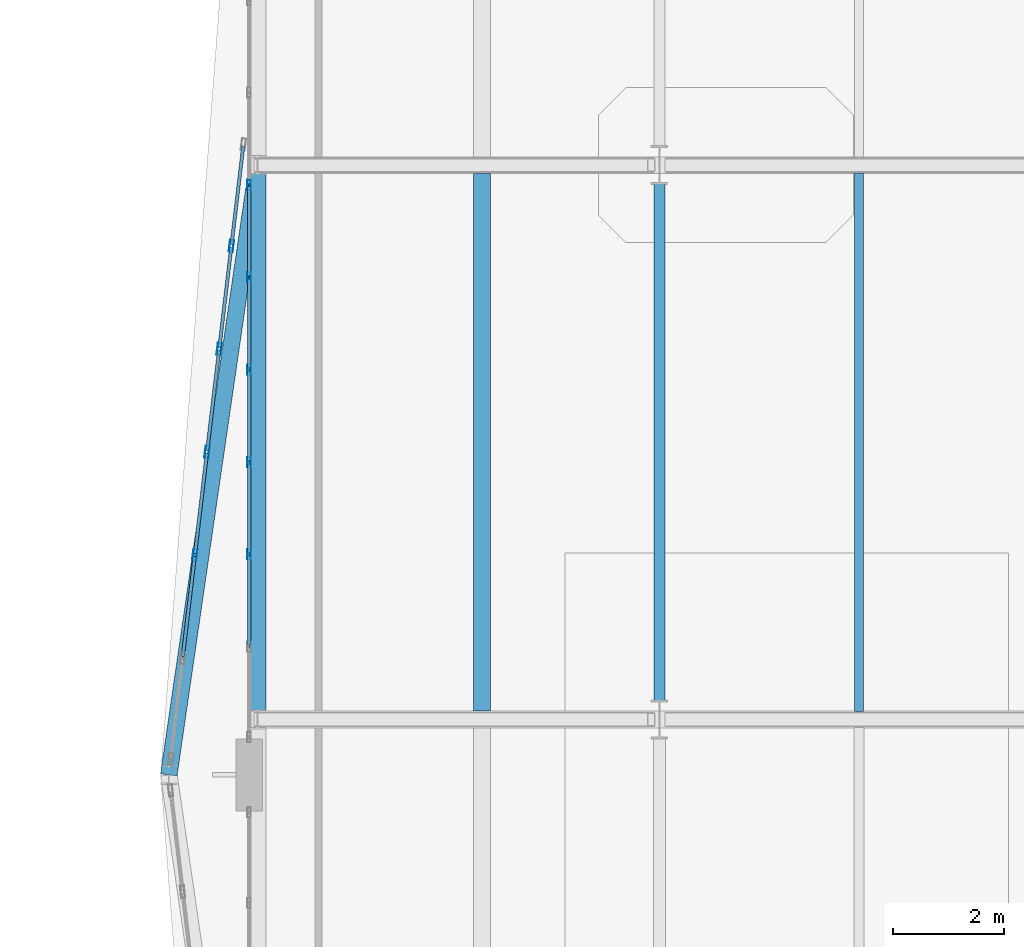
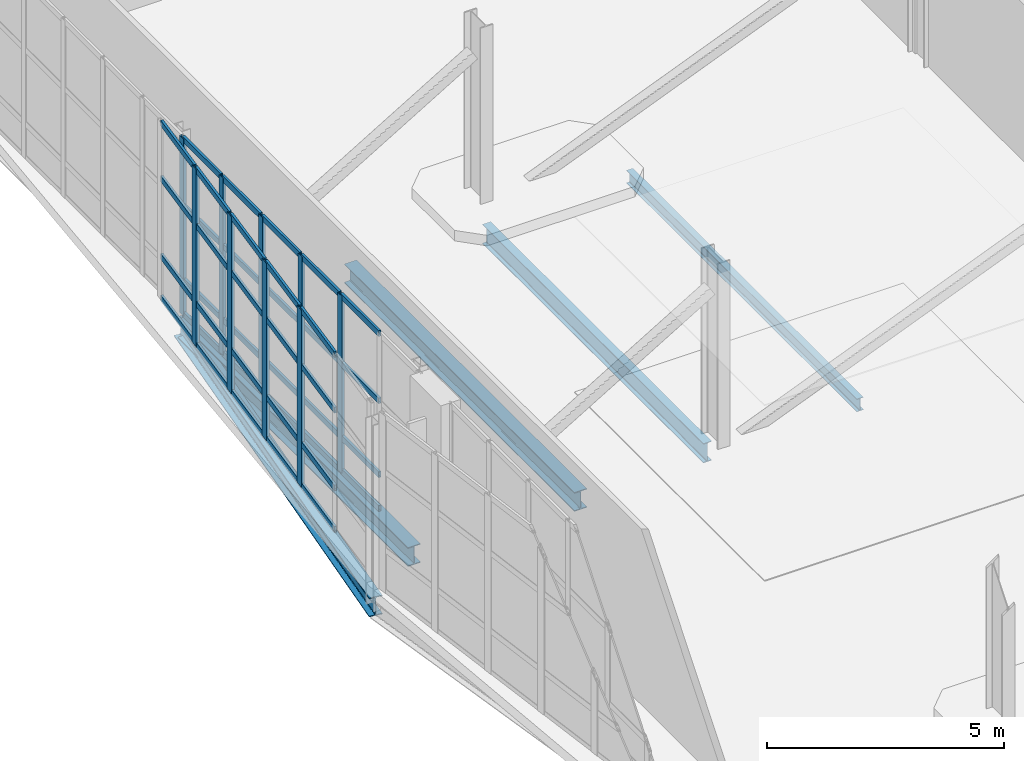
# One storey, part 38 of 100: 49 members, 5 beams, 2 elements without a shape of their own.
"""IFC4 building model written with IfcOpenShell, lengths in metres."""

from ifc_helpers import new_model, si_unit, direction, frame, origin, origin_2d, place, context, subcontext, project, spatial, hollow_rectangle, i_section, extrude, material, layer, layer_set, material_profile, profile_set, type_object, element, aggregate, save


model = new_model("IFC4")

# Units and contexts
model_context = context("Model", 3, precision=1e-05, world=origin(), true_north=direction((0.0, 1.0)))
body_context = subcontext(model_context, "Body", "Model", "MODEL_VIEW")
ifc_project = project(units=[si_unit("LENGTHUNIT", "METRE"), si_unit("AREAUNIT", "SQUARE_METRE"), si_unit("VOLUMEUNIT", "CUBIC_METRE"), si_unit("PLANEANGLEUNIT", "RADIAN"), si_unit("MASSUNIT", "GRAM", prefix="KILO")], contexts=[model_context])

# Site, building, storey
site_placement = place(None, origin())
site = spatial("IfcSite", under=ifc_project, at=site_placement, CompositionType="ELEMENT")
building_placement = place(site_placement, origin())
building = spatial("IfcBuilding", under=site, at=building_placement, Name="Tasgan Crest Museum", CompositionType="ELEMENT")
storey_placement = place(building_placement, frame((0.0, 0.0, 9.60009765625)))
storey = spatial("IfcBuildingStorey", under=building, at=storey_placement, Name="L02", CompositionType="ELEMENT", Elevation=9.60009765625)

# Beams
ifc_material_1 = material(Name="Steel S355J2", Category="steel")
ifc_material_profile_1 = material_profile(ifc_material_1, i_section(OverallWidth=0.300048828125, OverallDepth=0.489990234375, WebThickness=0.011962890625, FlangeThickness=0.02294921875, FilletRadius=0.027099609375, at=origin_2d()), Name="HEA 500")
ifc_profile_set_1 = profile_set([ifc_material_profile_1], Name="Steel S355J2")
beam_type_1 = type_object("IfcBeamType", Name="BM-G-HEA500", PredefinedType="BEAM", material=ifc_profile_set_1)
for number, where, z_axis, x_axis, name in (
    (1, (3.550048828125, 62.14990234375, -0.505126953125), (0.0, 1.0, 0.0), (-1.0, 0.0, 0.0), "Cantilever edge beam L02 TIP 62-72"),
    (2, (7.60009765625, 62.14990234375, -0.505126953125), (0.0, 1.0, 0.0), (-1.0, 0.0, 0.0), "Cantilever edge beam L02 MID 62-72"),
):
    element("IfcBeam", number, at=place(storey_placement, frame(where, z_axis=z_axis, x_axis=x_axis)), inside=storey, type_object=beam_type_1, Name=name, PredefinedType="BEAM", context=body_context, shape_type="SweptSolid", body=[
        extrude(i_section(OverallWidth=0.300048828125, OverallDepth=0.489990234375, WebThickness=0.011962890625, FlangeThickness=0.02294921875, FilletRadius=0.027099609375, at=origin_2d()), origin(), (0.0, 0.0, 1.0), 9.7001953125),
    ])
beam_1_placement = place(storey_placement, frame((1.949951171875, 61.0, -0.56005859375), z_axis=(0.143948449067, 0.98958518785, 0.0), x_axis=(-0.98958518785, 0.143948449067, 0.0)))
element("IfcBeam", 3, at=beam_1_placement, inside=storey, type_object=beam_type_1, Name="Cantilever prow north girder L02", PredefinedType="BEAM", context=body_context, shape_type="SweptSolid", body=[
    extrude(i_section(OverallWidth=0.300048828125, OverallDepth=0.489990234375, WebThickness=0.011962890625, FlangeThickness=0.02294921875, FilletRadius=0.027099609375, at=origin_2d()), origin(), (0.0, 0.0, 1.0), 11.11572265625),
])
ifc_material_2 = material(Name="Steel S355J2", Category="steel")
ifc_material_profile_2 = material_profile(ifc_material_2, i_section(OverallWidth=0.199951171875, OverallDepth=0.5, WebThickness=0.01025390625, FlangeThickness=0.01611328125, FilletRadius=0.02099609375, at=origin_2d()), Name="IPE 500")
ifc_profile_set_2 = profile_set([ifc_material_profile_2], Name="Steel S355J2")
beam_type_2 = type_object("IfcBeamType", Name="BM-G-IPE500", PredefinedType="BEAM", material=ifc_profile_set_2)
beam_2_placement = place(storey_placement, frame((10.800048828125, 62.344970703125, -0.510009765625), z_axis=(0.0, 1.0, 0.0), x_axis=(-1.0, 0.0, 0.0)))
element("IfcBeam", 4, at=beam_2_placement, inside=storey, type_object=beam_type_2, Name="Beam L02 2 62.0-72.0", PredefinedType="BEAM", context=body_context, shape_type="SweptSolid", body=[
    extrude(i_section(OverallWidth=0.199951171875, OverallDepth=0.5, WebThickness=0.01025390625, FlangeThickness=0.01611328125, FilletRadius=0.02099609375, at=origin_2d()), origin(), (0.0, 0.0, 1.0), 9.31005859375),
])
ifc_material_3 = material(Name="Steel S355J2", Category="steel")
ifc_material_profile_3 = material_profile(ifc_material_3, i_section(OverallWidth=0.159912109375, OverallDepth=0.330078125, WebThickness=0.007568359375, FlangeThickness=0.011474609375, FilletRadius=0.01806640625, at=origin_2d()), Name="IPE 330")
ifc_profile_set_3 = profile_set([ifc_material_profile_3], Name="Steel S355J2")
beam_type_3 = type_object("IfcBeamType", Name="BM-J-IPE330", PredefinedType="JOIST", material=ifc_profile_set_3)
beam_3_placement = place(storey_placement, frame((14.39990234375, 62.14501953125, -0.425048828125), z_axis=(0.0, 1.0, 0.0), x_axis=(-1.0, 0.0, 0.0)))
element("IfcBeam", 5, at=beam_3_placement, inside=storey, type_object=beam_type_3, Name="Secondary joist L02 X=14.4 Y=62.0-72.0", PredefinedType="JOIST", context=body_context, shape_type="SweptSolid", body=[
    extrude(i_section(OverallWidth=0.159912109375, OverallDepth=0.330078125, WebThickness=0.007568359375, FlangeThickness=0.011474609375, FilletRadius=0.01806640625, at=origin_2d()), origin(), (0.0, 0.0, 1.0), 9.7099609375),
])

# Curtain wall, members
ifc_material_4 = material(Name="Triple-Glazed Aluminium Curtain Wall", Category="aluminium")
ifc_layer = layer(ifc_material_4, 0.179931640625, Name="CW-CANT-TIP-48")
ifc_layer_set = layer_set([ifc_layer], Name="Triple-Glazed Aluminium Curtain Wall")
curtain_wall_type = type_object("IfcCurtainWallType", Name="CW-CANT-TIP-48", PredefinedType="NOTDEFINED", material=ifc_layer_set)
curtain_wall_1_placement = place(storey_placement, origin())
curtain_wall_1 = element("IfcCurtainWall", 6, at=curtain_wall_1_placement, inside=storey, type_object=curtain_wall_type, Name="Curtain wall L02 094", PredefinedType="NOTDEFINED")
ifc_material_5 = material(Name="Anodised Aluminium", Category="aluminium")
ifc_material_profile_4 = material_profile(ifc_material_5, hollow_rectangle(XDim=0.06494140625, YDim=0.179931640625, WallThickness=0.0048828125, at=origin_2d()), Name="ALU MULLION 180x65x5")
ifc_profile_set_4 = profile_set([ifc_material_profile_4], Name="Anodised Aluminium")
member_type_1 = type_object("IfcMemberType", Name="CW-MULLION-180", PredefinedType="MULLION", material=ifc_profile_set_4)
member_1_placement = place(storey_placement, frame((3.39990234375, 71.639892578125, 0.0), z_axis=(0.0, 0.0, 1.0), x_axis=(1.0, 0.0, 0.0)))
member_1 = element("IfcMember", 7, at=member_1_placement, type_object=member_type_1, Name="CW09 mullion 7", PredefinedType="MULLION", context=body_context, shape_type="SweptSolid", body=[
    extrude(hollow_rectangle(XDim=0.06494140625, YDim=0.179931640625, WallThickness=0.0048828125, at=origin_2d()), origin(), (0.0, 0.0, 1.0), 4.559814453125),
])
member_2_placement = place(storey_placement, frame((3.39990234375, 69.97412109375, 0.0), z_axis=(0.0, 0.0, 1.0), x_axis=(1.0, 0.0, 0.0)))
member_2 = element("IfcMember", 8, at=member_2_placement, type_object=member_type_1, Name="CW09 mullion 8", PredefinedType="MULLION", context=body_context, shape_type="SweptSolid", body=[
    extrude(hollow_rectangle(XDim=0.06494140625, YDim=0.179931640625, WallThickness=0.0048828125, at=origin_2d()), origin(), (0.0, 0.0, 1.0), 4.559814453125),
])
member_3_placement = place(storey_placement, frame((3.39990234375, 68.308349609375, 0.0), z_axis=(0.0, 0.0, 1.0), x_axis=(1.0, 0.0, 0.0)))
member_3 = element("IfcMember", 9, at=member_3_placement, type_object=member_type_1, Name="CW09 mullion 9", PredefinedType="MULLION", context=body_context, shape_type="SweptSolid", body=[
    extrude(hollow_rectangle(XDim=0.06494140625, YDim=0.179931640625, WallThickness=0.0048828125, at=origin_2d()), origin(), (0.0, 0.0, 1.0), 4.559814453125),
])
member_4_placement = place(storey_placement, frame((3.39990234375, 66.642578125, 0.0), z_axis=(0.0, 0.0, 1.0), x_axis=(1.0, 0.0, 0.0)))
member_4 = element("IfcMember", 10, at=member_4_placement, type_object=member_type_1, Name="CW09 mullion 10", PredefinedType="MULLION", context=body_context, shape_type="SweptSolid", body=[
    extrude(hollow_rectangle(XDim=0.06494140625, YDim=0.179931640625, WallThickness=0.0048828125, at=origin_2d()), origin(), (0.0, 0.0, 1.0), 4.559814453125),
])
member_5_placement = place(storey_placement, frame((3.39990234375, 64.9765625, 0.0), z_axis=(0.0, 0.0, 1.0), x_axis=(1.0, 0.0, 0.0)))
member_5 = element("IfcMember", 11, at=member_5_placement, type_object=member_type_1, Name="CW09 mullion 11", PredefinedType="MULLION", context=body_context, shape_type="SweptSolid", body=[
    extrude(hollow_rectangle(XDim=0.06494140625, YDim=0.179931640625, WallThickness=0.0048828125, at=origin_2d()), origin(), (0.0, 0.0, 1.0), 4.559814453125),
])

curtain_wall_2_placement = place(storey_placement, origin())
curtain_wall_2 = element("IfcCurtainWall", 12, at=curtain_wall_2_placement, inside=storey, type_object=curtain_wall_type, Name="Cantilevered prow curtain wall L02 PROW-N", PredefinedType="NOTDEFINED")
ifc_material_6 = material(Name="Anodised Aluminium", Category="aluminium")
ifc_material_profile_5 = material_profile(ifc_material_6, hollow_rectangle(XDim=0.074951171875, YDim=0.219970703125, WallThickness=0.006103515625, at=origin_2d()), Name="ALU MULLION 220x75x6")
ifc_profile_set_5 = profile_set([ifc_material_profile_5], Name="Anodised Aluminium")
member_type_2 = type_object("IfcMemberType", Name="CW-MULLION-220", PredefinedType="MULLION", material=ifc_profile_set_5)
member_6_placement = place(storey_placement, frame((2.419921875, 64.966552734375, 0.0), z_axis=(0.0, 0.0, 1.0), x_axis=(-0.993065228329, 0.117564672774, 0.0)))
member_6 = element("IfcMember", 13, at=member_6_placement, type_object=member_type_2, Name="CW09 mullion 3", PredefinedType="MULLION", context=body_context, shape_type="SweptSolid", body=[
    extrude(hollow_rectangle(XDim=0.074951171875, YDim=0.219970703125, WallThickness=0.006103515625, at=origin_2d()), origin(), (0.0, 0.0, 1.0), 4.559814453125),
])
member_7_placement = place(storey_placement, frame((2.639892578125, 66.824951171875, 0.0), z_axis=(0.0, 0.0, 1.0), x_axis=(-0.993065228329, 0.117564672774, 0.0)))
member_7 = element("IfcMember", 14, at=member_7_placement, type_object=member_type_2, Name="CW09 mullion 4", PredefinedType="MULLION", context=body_context, shape_type="SweptSolid", body=[
    extrude(hollow_rectangle(XDim=0.074951171875, YDim=0.219970703125, WallThickness=0.006103515625, at=origin_2d()), origin(), (0.0, 0.0, 1.0), 4.559814453125),
])
member_8_placement = place(storey_placement, frame((2.860107421875, 68.683349609375, 0.0), z_axis=(0.0, 0.0, 1.0), x_axis=(-0.993065228329, 0.117564672774, 0.0)))
member_8 = element("IfcMember", 15, at=member_8_placement, type_object=member_type_2, Name="CW09 mullion 5", PredefinedType="MULLION", context=body_context, shape_type="SweptSolid", body=[
    extrude(hollow_rectangle(XDim=0.074951171875, YDim=0.219970703125, WallThickness=0.006103515625, at=origin_2d()), origin(), (0.0, 0.0, 1.0), 4.559814453125),
])
member_9_placement = place(storey_placement, frame((3.080078125, 70.541748046875, 0.0), z_axis=(0.0, 0.0, 1.0), x_axis=(-0.993065228329, 0.117564672774, 0.0)))
member_9 = element("IfcMember", 16, at=member_9_placement, type_object=member_type_2, Name="CW09 mullion 6", PredefinedType="MULLION", context=body_context, shape_type="SweptSolid", body=[
    extrude(hollow_rectangle(XDim=0.074951171875, YDim=0.219970703125, WallThickness=0.006103515625, at=origin_2d()), origin(), (0.0, 0.0, 1.0), 4.559814453125),
])

# Member
ifc_material_7 = material(Name="Anodised Aluminium", Category="aluminium")
ifc_material_profile_6 = material_profile(ifc_material_7, hollow_rectangle(XDim=0.06005859375, YDim=0.14990234375, WallThickness=0.0048828125, at=origin_2d()), Name="ALU TRANSOM 150x60x5")
ifc_profile_set_6 = profile_set([ifc_material_profile_6], Name="Anodised Aluminium")
member_type_3 = type_object("IfcMemberType", Name="CW-TRANSOM-150", PredefinedType="USERDEFINED", material=ifc_profile_set_6)
member_10_placement = place(storey_placement, frame((3.39990234375, 71.610107421875, 0.02978515625), z_axis=(0.0, -1.0, 0.0), x_axis=(1.0, 0.0, 0.0)))
member_10 = element("IfcMember", 17, at=member_10_placement, type_object=member_type_3, Name="CW09 transom 7.1", ObjectType="TRANSOM", PredefinedType="USERDEFINED", context=body_context, shape_type="SweptSolid", body=[
    extrude(hollow_rectangle(XDim=0.06005859375, YDim=0.14990234375, WallThickness=0.0048828125, at=origin_2d()), origin(), (0.0, 0.0, 1.0), 1.60595703125),
])

member_11_placement = place(storey_placement, frame((3.39990234375, 71.610107421875, 0.89990234375), z_axis=(0.0, -1.0, 0.0), x_axis=(1.0, 0.0, 0.0)))
member_11 = element("IfcMember", 18, at=member_11_placement, type_object=member_type_3, Name="CW09 transom 7.2", ObjectType="TRANSOM", PredefinedType="USERDEFINED", context=body_context, shape_type="SweptSolid", body=[
    extrude(hollow_rectangle(XDim=0.06005859375, YDim=0.14990234375, WallThickness=0.0048828125, at=origin_2d()), origin(), (0.0, 0.0, 1.0), 1.60595703125),
])

member_12_placement = place(storey_placement, frame((3.39990234375, 71.610107421875, 2.7998046875), z_axis=(0.0, -1.0, 0.0), x_axis=(1.0, 0.0, 0.0)))
member_12 = element("IfcMember", 19, at=member_12_placement, type_object=member_type_3, Name="CW09 transom 7.3", ObjectType="TRANSOM", PredefinedType="USERDEFINED", context=body_context, shape_type="SweptSolid", body=[
    extrude(hollow_rectangle(XDim=0.06005859375, YDim=0.14990234375, WallThickness=0.0048828125, at=origin_2d()), origin(), (0.0, 0.0, 1.0), 1.60595703125),
])

member_13_placement = place(storey_placement, frame((3.39990234375, 71.610107421875, 4.52978515625), z_axis=(0.0, -1.0, 0.0), x_axis=(1.0, 0.0, 0.0)))
member_13 = element("IfcMember", 20, at=member_13_placement, type_object=member_type_3, Name="CW09 transom 7.4", ObjectType="TRANSOM", PredefinedType="USERDEFINED", context=body_context, shape_type="SweptSolid", body=[
    extrude(hollow_rectangle(XDim=0.06005859375, YDim=0.14990234375, WallThickness=0.0048828125, at=origin_2d()), origin(), (0.0, 0.0, 1.0), 1.60595703125),
])

member_14_placement = place(storey_placement, frame((3.39990234375, 69.944091796875, 0.02978515625), z_axis=(0.0, -1.0, 0.0), x_axis=(1.0, 0.0, 0.0)))
member_14 = element("IfcMember", 21, at=member_14_placement, type_object=member_type_3, Name="CW09 transom 8.1", ObjectType="TRANSOM", PredefinedType="USERDEFINED", context=body_context, shape_type="SweptSolid", body=[
    extrude(hollow_rectangle(XDim=0.06005859375, YDim=0.14990234375, WallThickness=0.0048828125, at=origin_2d()), origin(), (0.0, 0.0, 1.0), 1.605712890625),
])

member_15_placement = place(storey_placement, frame((3.39990234375, 69.944091796875, 0.89990234375), z_axis=(0.0, -1.0, 0.0), x_axis=(1.0, 0.0, 0.0)))
member_15 = element("IfcMember", 22, at=member_15_placement, type_object=member_type_3, Name="CW09 transom 8.2", ObjectType="TRANSOM", PredefinedType="USERDEFINED", context=body_context, shape_type="SweptSolid", body=[
    extrude(hollow_rectangle(XDim=0.06005859375, YDim=0.14990234375, WallThickness=0.0048828125, at=origin_2d()), origin(), (0.0, 0.0, 1.0), 1.605712890625),
])

member_16_placement = place(storey_placement, frame((3.39990234375, 69.944091796875, 2.7998046875), z_axis=(0.0, -1.0, 0.0), x_axis=(1.0, 0.0, 0.0)))
member_16 = element("IfcMember", 23, at=member_16_placement, type_object=member_type_3, Name="CW09 transom 8.3", ObjectType="TRANSOM", PredefinedType="USERDEFINED", context=body_context, shape_type="SweptSolid", body=[
    extrude(hollow_rectangle(XDim=0.06005859375, YDim=0.14990234375, WallThickness=0.0048828125, at=origin_2d()), origin(), (0.0, 0.0, 1.0), 1.605712890625),
])

member_17_placement = place(storey_placement, frame((3.39990234375, 69.944091796875, 4.52978515625), z_axis=(0.0, -1.0, 0.0), x_axis=(1.0, 0.0, 0.0)))
member_17 = element("IfcMember", 24, at=member_17_placement, type_object=member_type_3, Name="CW09 transom 8.4", ObjectType="TRANSOM", PredefinedType="USERDEFINED", context=body_context, shape_type="SweptSolid", body=[
    extrude(hollow_rectangle(XDim=0.06005859375, YDim=0.14990234375, WallThickness=0.0048828125, at=origin_2d()), origin(), (0.0, 0.0, 1.0), 1.605712890625),
])

member_18_placement = place(storey_placement, frame((3.39990234375, 68.2783203125, 0.02978515625), z_axis=(0.0, -1.0, 0.0), x_axis=(1.0, 0.0, 0.0)))
member_18 = element("IfcMember", 25, at=member_18_placement, type_object=member_type_3, Name="CW09 transom 9.1", ObjectType="TRANSOM", PredefinedType="USERDEFINED", context=body_context, shape_type="SweptSolid", body=[
    extrude(hollow_rectangle(XDim=0.06005859375, YDim=0.14990234375, WallThickness=0.0048828125, at=origin_2d()), origin(), (0.0, 0.0, 1.0), 1.605712890625),
])

member_19_placement = place(storey_placement, frame((3.39990234375, 68.2783203125, 0.89990234375), z_axis=(0.0, -1.0, 0.0), x_axis=(1.0, 0.0, 0.0)))
member_19 = element("IfcMember", 26, at=member_19_placement, type_object=member_type_3, Name="CW09 transom 9.2", ObjectType="TRANSOM", PredefinedType="USERDEFINED", context=body_context, shape_type="SweptSolid", body=[
    extrude(hollow_rectangle(XDim=0.06005859375, YDim=0.14990234375, WallThickness=0.0048828125, at=origin_2d()), origin(), (0.0, 0.0, 1.0), 1.605712890625),
])

member_20_placement = place(storey_placement, frame((3.39990234375, 68.2783203125, 2.7998046875), z_axis=(0.0, -1.0, 0.0), x_axis=(1.0, 0.0, 0.0)))
member_20 = element("IfcMember", 27, at=member_20_placement, type_object=member_type_3, Name="CW09 transom 9.3", ObjectType="TRANSOM", PredefinedType="USERDEFINED", context=body_context, shape_type="SweptSolid", body=[
    extrude(hollow_rectangle(XDim=0.06005859375, YDim=0.14990234375, WallThickness=0.0048828125, at=origin_2d()), origin(), (0.0, 0.0, 1.0), 1.605712890625),
])

member_21_placement = place(storey_placement, frame((3.39990234375, 68.2783203125, 4.52978515625), z_axis=(0.0, -1.0, 0.0), x_axis=(1.0, 0.0, 0.0)))
member_21 = element("IfcMember", 28, at=member_21_placement, type_object=member_type_3, Name="CW09 transom 9.4", ObjectType="TRANSOM", PredefinedType="USERDEFINED", context=body_context, shape_type="SweptSolid", body=[
    extrude(hollow_rectangle(XDim=0.06005859375, YDim=0.14990234375, WallThickness=0.0048828125, at=origin_2d()), origin(), (0.0, 0.0, 1.0), 1.605712890625),
])

member_22_placement = place(storey_placement, frame((3.39990234375, 66.612548828125, 0.02978515625), z_axis=(0.0, -1.0, 0.0), x_axis=(1.0, 0.0, 0.0)))
member_22 = element("IfcMember", 29, at=member_22_placement, type_object=member_type_3, Name="CW09 transom 10.1", ObjectType="TRANSOM", PredefinedType="USERDEFINED", context=body_context, shape_type="SweptSolid", body=[
    extrude(hollow_rectangle(XDim=0.06005859375, YDim=0.14990234375, WallThickness=0.0048828125, at=origin_2d()), origin(), (0.0, 0.0, 1.0), 1.60595703125),
])

member_23_placement = place(storey_placement, frame((3.39990234375, 66.612548828125, 0.89990234375), z_axis=(0.0, -1.0, 0.0), x_axis=(1.0, 0.0, 0.0)))
member_23 = element("IfcMember", 30, at=member_23_placement, type_object=member_type_3, Name="CW09 transom 10.2", ObjectType="TRANSOM", PredefinedType="USERDEFINED", context=body_context, shape_type="SweptSolid", body=[
    extrude(hollow_rectangle(XDim=0.06005859375, YDim=0.14990234375, WallThickness=0.0048828125, at=origin_2d()), origin(), (0.0, 0.0, 1.0), 1.60595703125),
])

member_24_placement = place(storey_placement, frame((3.39990234375, 66.612548828125, 2.7998046875), z_axis=(0.0, -1.0, 0.0), x_axis=(1.0, 0.0, 0.0)))
member_24 = element("IfcMember", 31, at=member_24_placement, type_object=member_type_3, Name="CW09 transom 10.3", ObjectType="TRANSOM", PredefinedType="USERDEFINED", context=body_context, shape_type="SweptSolid", body=[
    extrude(hollow_rectangle(XDim=0.06005859375, YDim=0.14990234375, WallThickness=0.0048828125, at=origin_2d()), origin(), (0.0, 0.0, 1.0), 1.60595703125),
])

member_25_placement = place(storey_placement, frame((3.39990234375, 66.612548828125, 4.52978515625), z_axis=(0.0, -1.0, 0.0), x_axis=(1.0, 0.0, 0.0)))
member_25 = element("IfcMember", 32, at=member_25_placement, type_object=member_type_3, Name="CW09 transom 10.4", ObjectType="TRANSOM", PredefinedType="USERDEFINED", context=body_context, shape_type="SweptSolid", body=[
    extrude(hollow_rectangle(XDim=0.06005859375, YDim=0.14990234375, WallThickness=0.0048828125, at=origin_2d()), origin(), (0.0, 0.0, 1.0), 1.60595703125),
])

member_26_placement = place(storey_placement, frame((3.39990234375, 64.94677734375, 0.02978515625), z_axis=(0.0, -1.0, 0.0), x_axis=(1.0, 0.0, 0.0)))
member_26 = element("IfcMember", 33, at=member_26_placement, type_object=member_type_3, Name="CW09 transom 11.1", ObjectType="TRANSOM", PredefinedType="USERDEFINED", context=body_context, shape_type="SweptSolid", body=[
    extrude(hollow_rectangle(XDim=0.06005859375, YDim=0.14990234375, WallThickness=0.0048828125, at=origin_2d()), origin(), (0.0, 0.0, 1.0), 1.60595703125),
])

member_27_placement = place(storey_placement, frame((3.39990234375, 64.94677734375, 0.89990234375), z_axis=(0.0, -1.0, 0.0), x_axis=(1.0, 0.0, 0.0)))
member_27 = element("IfcMember", 34, at=member_27_placement, type_object=member_type_3, Name="CW09 transom 11.2", ObjectType="TRANSOM", PredefinedType="USERDEFINED", context=body_context, shape_type="SweptSolid", body=[
    extrude(hollow_rectangle(XDim=0.06005859375, YDim=0.14990234375, WallThickness=0.0048828125, at=origin_2d()), origin(), (0.0, 0.0, 1.0), 1.60595703125),
])

member_28_placement = place(storey_placement, frame((3.39990234375, 64.94677734375, 2.7998046875), z_axis=(0.0, -1.0, 0.0), x_axis=(1.0, 0.0, 0.0)))
member_28 = element("IfcMember", 35, at=member_28_placement, type_object=member_type_3, Name="CW09 transom 11.3", ObjectType="TRANSOM", PredefinedType="USERDEFINED", context=body_context, shape_type="SweptSolid", body=[
    extrude(hollow_rectangle(XDim=0.06005859375, YDim=0.14990234375, WallThickness=0.0048828125, at=origin_2d()), origin(), (0.0, 0.0, 1.0), 1.60595703125),
])

member_29_placement = place(storey_placement, frame((3.39990234375, 64.94677734375, 4.52978515625), z_axis=(0.0, -1.0, 0.0), x_axis=(1.0, 0.0, 0.0)))
member_29 = element("IfcMember", 36, at=member_29_placement, type_object=member_type_3, Name="CW09 transom 11.4", ObjectType="TRANSOM", PredefinedType="USERDEFINED", context=body_context, shape_type="SweptSolid", body=[
    extrude(hollow_rectangle(XDim=0.06005859375, YDim=0.14990234375, WallThickness=0.0048828125, at=origin_2d()), origin(), (0.0, 0.0, 1.0), 1.60595703125),
])

aggregate(curtain_wall_1, [member_1, member_2, member_3, member_4, member_5, member_10, member_11, member_12, member_13, member_14, member_15, member_16, member_17, member_18, member_19, member_20, member_21, member_22, member_23, member_24, member_25, member_26, member_27, member_28, member_29])

member_30_placement = place(storey_placement, frame((2.20361328125, 63.13818359375, 0.02978515625), z_axis=(0.117545119782, 0.993067542927, 0.0), x_axis=(-0.993067542927, 0.117545119782, 0.0)))
member_30 = element("IfcMember", 37, at=member_30_placement, type_object=member_type_3, Name="CW09 transom 2.1", ObjectType="TRANSOM", PredefinedType="USERDEFINED", context=body_context, shape_type="SweptSolid", body=[
    extrude(hollow_rectangle(XDim=0.06005859375, YDim=0.14990234375, WallThickness=0.0048828125, at=origin_2d()), origin(), (0.0, 0.0, 1.0), 1.81103515625),
])

member_31_placement = place(storey_placement, frame((2.20361328125, 63.13818359375, 1.099853515625), z_axis=(0.117545119782, 0.993067542927, 0.0), x_axis=(-0.993067542927, 0.117545119782, 0.0)))
member_31 = element("IfcMember", 38, at=member_31_placement, type_object=member_type_3, Name="CW09 transom 2.2", ObjectType="TRANSOM", PredefinedType="USERDEFINED", context=body_context, shape_type="SweptSolid", body=[
    extrude(hollow_rectangle(XDim=0.06005859375, YDim=0.14990234375, WallThickness=0.0048828125, at=origin_2d()), origin(), (0.0, 0.0, 1.0), 1.81103515625),
])

member_32_placement = place(storey_placement, frame((2.20361328125, 63.13818359375, 3.099853515625), z_axis=(0.117545119782, 0.993067542927, 0.0), x_axis=(-0.993067542927, 0.117545119782, 0.0)))
member_32 = element("IfcMember", 39, at=member_32_placement, type_object=member_type_3, Name="CW09 transom 2.3", ObjectType="TRANSOM", PredefinedType="USERDEFINED", context=body_context, shape_type="SweptSolid", body=[
    extrude(hollow_rectangle(XDim=0.06005859375, YDim=0.14990234375, WallThickness=0.0048828125, at=origin_2d()), origin(), (0.0, 0.0, 1.0), 1.81103515625),
])

member_33_placement = place(storey_placement, frame((2.20361328125, 63.13818359375, 4.52978515625), z_axis=(0.117545119782, 0.993067542927, 0.0), x_axis=(-0.993067542927, 0.117545119782, 0.0)))
member_33 = element("IfcMember", 40, at=member_33_placement, type_object=member_type_3, Name="CW09 transom 2.4", ObjectType="TRANSOM", PredefinedType="USERDEFINED", context=body_context, shape_type="SweptSolid", body=[
    extrude(hollow_rectangle(XDim=0.06005859375, YDim=0.14990234375, WallThickness=0.0048828125, at=origin_2d()), origin(), (0.0, 0.0, 1.0), 1.81103515625),
])

member_34_placement = place(storey_placement, frame((2.423583984375, 64.996337890625, 0.02978515625), z_axis=(0.117529386701, 0.993069405058, 0.0), x_axis=(-0.993069405058, 0.117529386701, 0.0)))
member_34 = element("IfcMember", 41, at=member_34_placement, type_object=member_type_3, Name="CW09 transom 3.1", ObjectType="TRANSOM", PredefinedType="USERDEFINED", context=body_context, shape_type="SweptSolid", body=[
    extrude(hollow_rectangle(XDim=0.06005859375, YDim=0.14990234375, WallThickness=0.0048828125, at=origin_2d()), origin(), (0.0, 0.0, 1.0), 1.811279296875),
])

member_35_placement = place(storey_placement, frame((2.423583984375, 64.996337890625, 1.099853515625), z_axis=(0.117529386701, 0.993069405058, 0.0), x_axis=(-0.993069405058, 0.117529386701, 0.0)))
member_35 = element("IfcMember", 42, at=member_35_placement, type_object=member_type_3, Name="CW09 transom 3.2", ObjectType="TRANSOM", PredefinedType="USERDEFINED", context=body_context, shape_type="SweptSolid", body=[
    extrude(hollow_rectangle(XDim=0.06005859375, YDim=0.14990234375, WallThickness=0.0048828125, at=origin_2d()), origin(), (0.0, 0.0, 1.0), 1.811279296875),
])

member_36_placement = place(storey_placement, frame((2.423583984375, 64.996337890625, 3.099853515625), z_axis=(0.117529386701, 0.993069405058, 0.0), x_axis=(-0.993069405058, 0.117529386701, 0.0)))
member_36 = element("IfcMember", 43, at=member_36_placement, type_object=member_type_3, Name="CW09 transom 3.3", ObjectType="TRANSOM", PredefinedType="USERDEFINED", context=body_context, shape_type="SweptSolid", body=[
    extrude(hollow_rectangle(XDim=0.06005859375, YDim=0.14990234375, WallThickness=0.0048828125, at=origin_2d()), origin(), (0.0, 0.0, 1.0), 1.811279296875),
])

member_37_placement = place(storey_placement, frame((2.423583984375, 64.996337890625, 4.52978515625), z_axis=(0.117529386701, 0.993069405058, 0.0), x_axis=(-0.993069405058, 0.117529386701, 0.0)))
member_37 = element("IfcMember", 44, at=member_37_placement, type_object=member_type_3, Name="CW09 transom 3.4", ObjectType="TRANSOM", PredefinedType="USERDEFINED", context=body_context, shape_type="SweptSolid", body=[
    extrude(hollow_rectangle(XDim=0.06005859375, YDim=0.14990234375, WallThickness=0.0048828125, at=origin_2d()), origin(), (0.0, 0.0, 1.0), 1.811279296875),
])

member_38_placement = place(storey_placement, frame((2.6435546875, 66.854736328125, 0.02978515625), z_axis=(0.117529386701, 0.993069405058, 0.0), x_axis=(-0.993069405058, 0.117529386701, 0.0)))
member_38 = element("IfcMember", 45, at=member_38_placement, type_object=member_type_3, Name="CW09 transom 4.1", ObjectType="TRANSOM", PredefinedType="USERDEFINED", context=body_context, shape_type="SweptSolid", body=[
    extrude(hollow_rectangle(XDim=0.06005859375, YDim=0.14990234375, WallThickness=0.0048828125, at=origin_2d()), origin(), (0.0, 0.0, 1.0), 1.811279296875),
])

member_39_placement = place(storey_placement, frame((2.6435546875, 66.854736328125, 1.099853515625), z_axis=(0.117529386701, 0.993069405058, 0.0), x_axis=(-0.993069405058, 0.117529386701, 0.0)))
member_39 = element("IfcMember", 46, at=member_39_placement, type_object=member_type_3, Name="CW09 transom 4.2", ObjectType="TRANSOM", PredefinedType="USERDEFINED", context=body_context, shape_type="SweptSolid", body=[
    extrude(hollow_rectangle(XDim=0.06005859375, YDim=0.14990234375, WallThickness=0.0048828125, at=origin_2d()), origin(), (0.0, 0.0, 1.0), 1.811279296875),
])

member_40_placement = place(storey_placement, frame((2.6435546875, 66.854736328125, 3.099853515625), z_axis=(0.117529386701, 0.993069405058, 0.0), x_axis=(-0.993069405058, 0.117529386701, 0.0)))
member_40 = element("IfcMember", 47, at=member_40_placement, type_object=member_type_3, Name="CW09 transom 4.3", ObjectType="TRANSOM", PredefinedType="USERDEFINED", context=body_context, shape_type="SweptSolid", body=[
    extrude(hollow_rectangle(XDim=0.06005859375, YDim=0.14990234375, WallThickness=0.0048828125, at=origin_2d()), origin(), (0.0, 0.0, 1.0), 1.811279296875),
])

member_41_placement = place(storey_placement, frame((2.6435546875, 66.854736328125, 4.52978515625), z_axis=(0.117529386701, 0.993069405058, 0.0), x_axis=(-0.993069405058, 0.117529386701, 0.0)))
member_41 = element("IfcMember", 48, at=member_41_placement, type_object=member_type_3, Name="CW09 transom 4.4", ObjectType="TRANSOM", PredefinedType="USERDEFINED", context=body_context, shape_type="SweptSolid", body=[
    extrude(hollow_rectangle(XDim=0.06005859375, YDim=0.14990234375, WallThickness=0.0048828125, at=origin_2d()), origin(), (0.0, 0.0, 1.0), 1.811279296875),
])

member_42_placement = place(storey_placement, frame((2.863525390625, 68.713134765625, 0.02978515625), z_axis=(0.117529386701, 0.993069405058, 0.0), x_axis=(-0.993069405058, 0.117529386701, 0.0)))
member_42 = element("IfcMember", 49, at=member_42_placement, type_object=member_type_3, Name="CW09 transom 5.1", ObjectType="TRANSOM", PredefinedType="USERDEFINED", context=body_context, shape_type="SweptSolid", body=[
    extrude(hollow_rectangle(XDim=0.06005859375, YDim=0.14990234375, WallThickness=0.0048828125, at=origin_2d()), origin(), (0.0, 0.0, 1.0), 1.811279296875),
])

member_43_placement = place(storey_placement, frame((2.863525390625, 68.713134765625, 1.099853515625), z_axis=(0.117529386701, 0.993069405058, 0.0), x_axis=(-0.993069405058, 0.117529386701, 0.0)))
member_43 = element("IfcMember", 50, at=member_43_placement, type_object=member_type_3, Name="CW09 transom 5.2", ObjectType="TRANSOM", PredefinedType="USERDEFINED", context=body_context, shape_type="SweptSolid", body=[
    extrude(hollow_rectangle(XDim=0.06005859375, YDim=0.14990234375, WallThickness=0.0048828125, at=origin_2d()), origin(), (0.0, 0.0, 1.0), 1.811279296875),
])

member_44_placement = place(storey_placement, frame((2.863525390625, 68.713134765625, 3.099853515625), z_axis=(0.117529386701, 0.993069405058, 0.0), x_axis=(-0.993069405058, 0.117529386701, 0.0)))
member_44 = element("IfcMember", 51, at=member_44_placement, type_object=member_type_3, Name="CW09 transom 5.3", ObjectType="TRANSOM", PredefinedType="USERDEFINED", context=body_context, shape_type="SweptSolid", body=[
    extrude(hollow_rectangle(XDim=0.06005859375, YDim=0.14990234375, WallThickness=0.0048828125, at=origin_2d()), origin(), (0.0, 0.0, 1.0), 1.811279296875),
])

member_45_placement = place(storey_placement, frame((2.863525390625, 68.713134765625, 4.52978515625), z_axis=(0.117529386701, 0.993069405058, 0.0), x_axis=(-0.993069405058, 0.117529386701, 0.0)))
member_45 = element("IfcMember", 52, at=member_45_placement, type_object=member_type_3, Name="CW09 transom 5.4", ObjectType="TRANSOM", PredefinedType="USERDEFINED", context=body_context, shape_type="SweptSolid", body=[
    extrude(hollow_rectangle(XDim=0.06005859375, YDim=0.14990234375, WallThickness=0.0048828125, at=origin_2d()), origin(), (0.0, 0.0, 1.0), 1.811279296875),
])

member_46_placement = place(storey_placement, frame((3.08349609375, 70.571533203125, 0.02978515625), z_axis=(0.117604679302, 0.993060491313, 0.0), x_axis=(-0.993060491313, 0.117604679302, 0.0)))
member_46 = element("IfcMember", 53, at=member_46_placement, type_object=member_type_3, Name="CW09 transom 6.1", ObjectType="TRANSOM", PredefinedType="USERDEFINED", context=body_context, shape_type="SweptSolid", body=[
    extrude(hollow_rectangle(XDim=0.06005859375, YDim=0.14990234375, WallThickness=0.0048828125, at=origin_2d()), origin(), (0.0, 0.0, 1.0), 1.78125),
])

member_47_placement = place(storey_placement, frame((3.08349609375, 70.571533203125, 1.099853515625), z_axis=(0.117604679302, 0.993060491313, 0.0), x_axis=(-0.993060491313, 0.117604679302, 0.0)))
member_47 = element("IfcMember", 54, at=member_47_placement, type_object=member_type_3, Name="CW09 transom 6.2", ObjectType="TRANSOM", PredefinedType="USERDEFINED", context=body_context, shape_type="SweptSolid", body=[
    extrude(hollow_rectangle(XDim=0.06005859375, YDim=0.14990234375, WallThickness=0.0048828125, at=origin_2d()), origin(), (0.0, 0.0, 1.0), 1.78125),
])

member_48_placement = place(storey_placement, frame((3.08349609375, 70.571533203125, 3.099853515625), z_axis=(0.117604679302, 0.993060491313, 0.0), x_axis=(-0.993060491313, 0.117604679302, 0.0)))
member_48 = element("IfcMember", 55, at=member_48_placement, type_object=member_type_3, Name="CW09 transom 6.3", ObjectType="TRANSOM", PredefinedType="USERDEFINED", context=body_context, shape_type="SweptSolid", body=[
    extrude(hollow_rectangle(XDim=0.06005859375, YDim=0.14990234375, WallThickness=0.0048828125, at=origin_2d()), origin(), (0.0, 0.0, 1.0), 1.78125),
])

member_49_placement = place(storey_placement, frame((3.08349609375, 70.571533203125, 4.52978515625), z_axis=(0.117604679302, 0.993060491313, 0.0), x_axis=(-0.993060491313, 0.117604679302, 0.0)))
member_49 = element("IfcMember", 56, at=member_49_placement, type_object=member_type_3, Name="CW09 transom 6.4", ObjectType="TRANSOM", PredefinedType="USERDEFINED", context=body_context, shape_type="SweptSolid", body=[
    extrude(hollow_rectangle(XDim=0.06005859375, YDim=0.14990234375, WallThickness=0.0048828125, at=origin_2d()), origin(), (0.0, 0.0, 1.0), 1.78125),
])

aggregate(curtain_wall_2, [member_6, member_7, member_8, member_9, member_30, member_31, member_32, member_33, member_34, member_35, member_36, member_37, member_38, member_39, member_40, member_41, member_42, member_43, member_44, member_45, member_46, member_47, member_48, member_49])

save(model, "model.ifc")
